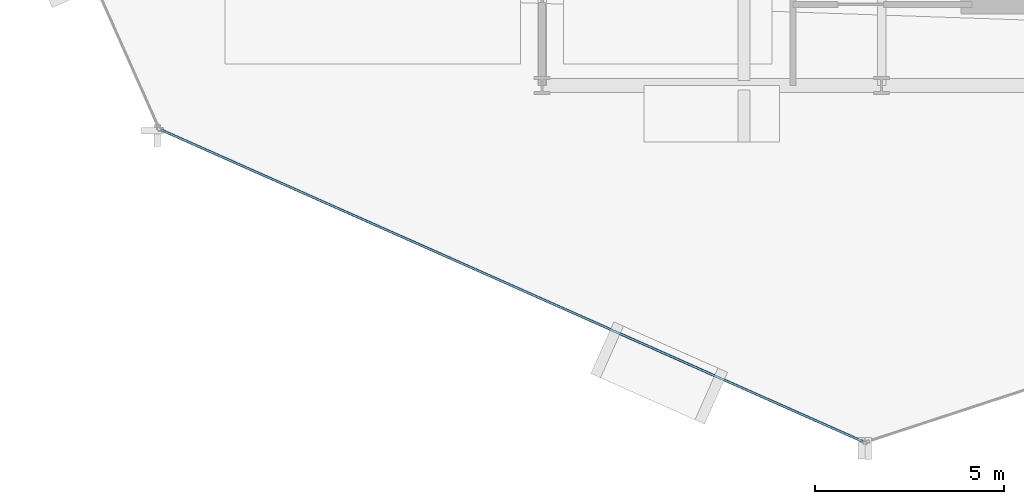
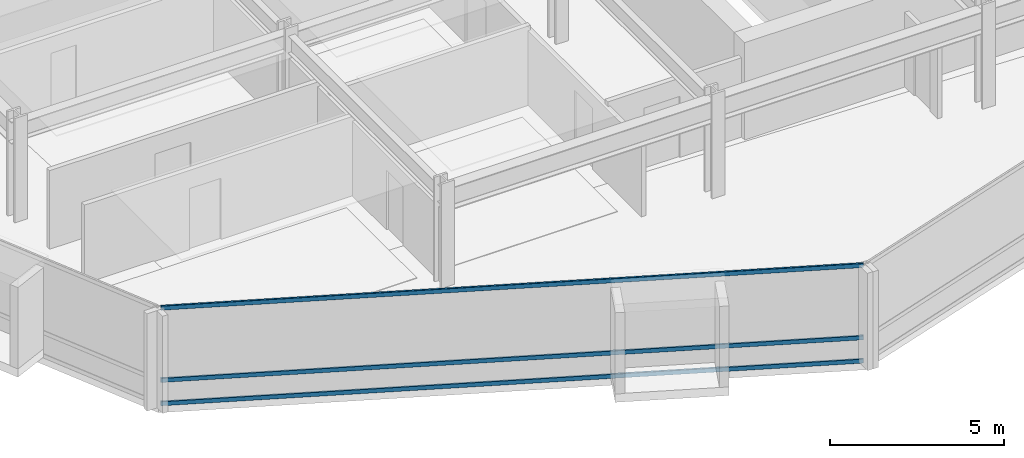
# One storey, part 3 of 34: 3 members, 1 element without a shape of its own.
"""IFC4 building model written with IfcOpenShell, lengths in metres."""

from ifc_helpers import new_model, si_unit, direction, frame, origin, origin_2d, place, context, subcontext, project, spatial, hollow_rectangle, extrude, material, layer, layer_set, material_profile, profile_set, type_object, element, aggregate, save


model = new_model("IFC4")

# Units and contexts
model_context = context("Model", 3, precision=1e-05, world=origin(), true_north=direction((0.0, 1.0)))
body_context = subcontext(model_context, "Body", "Model", "MODEL_VIEW")
ifc_project = project(units=[si_unit("LENGTHUNIT", "METRE"), si_unit("AREAUNIT", "SQUARE_METRE"), si_unit("VOLUMEUNIT", "CUBIC_METRE"), si_unit("PLANEANGLEUNIT", "RADIAN"), si_unit("MASSUNIT", "GRAM", prefix="KILO")], contexts=[model_context])

# Site, building, storey
site_placement = place(None, origin())
site = spatial("IfcSite", under=ifc_project, at=site_placement, CompositionType="ELEMENT")
building_placement = place(site_placement, origin())
building = spatial("IfcBuilding", under=site, at=building_placement, Name="Solvaryn Broadcast Tower", CompositionType="ELEMENT")
storey_placement = place(building_placement, frame((0.0, 0.0, 92.800048828125)))
storey = spatial("IfcBuildingStorey", under=building, at=storey_placement, Name="L22", CompositionType="ELEMENT", Elevation=92.800048828125)

# Curtain wall, members
ifc_material_1 = material(Name="Aluminium and Terracotta Unitised Curtain Wall", Category="masonry")
ifc_layer = layer(ifc_material_1, 0.199951171875)
ifc_layer_set = layer_set([ifc_layer], Name="CW-SYS2-LOWMID")
curtain_wall_type = type_object("IfcCurtainWallType", Name="CW-SYS2-LOWMID", PredefinedType="NOTDEFINED", material=ifc_layer_set)
curtain_wall_placement = place(storey_placement, origin())
curtain_wall = element("IfcCurtainWall", 1, at=curtain_wall_placement, inside=storey, type_object=curtain_wall_type, Name="L22 Curtain Wall DR3", PredefinedType="NOTDEFINED")
ifc_material_2 = material(Name="Anodised Aluminium 6063-T6", Category="aluminium")
ifc_material_profile = material_profile(ifc_material_2, hollow_rectangle(XDim=0.06494140625, YDim=0.14990234375, WallThickness=0.00390625, InnerFilletRadius=0.00390625, OuterFilletRadius=0.008056640625, at=origin_2d()))
ifc_profile_set = profile_set([ifc_material_profile], Name="Anodised Aluminium 6063-T6")
member_type = type_object("IfcMemberType", Name="CW-TRN-150", PredefinedType="USERDEFINED", material=ifc_profile_set)
member_1_placement = place(storey_placement, frame((7.90185546875, 7.82275390625, 0.030029296875), z_axis=(0.913914888191, -0.405905872269, 0.0), x_axis=(0.405905872269, 0.913914888191, 0.0)))
member_1 = element("IfcMember", 2, at=member_1_placement, type_object=member_type, Name="CWS2 transom 1.1", ObjectType="TRANSOM", PredefinedType="USERDEFINED", context=body_context, shape_type="SweptSolid", body=[
    extrude(hollow_rectangle(XDim=0.06494140625, YDim=0.14990234375, WallThickness=0.00390625, InnerFilletRadius=0.00390625, OuterFilletRadius=0.008056640625, at=origin_2d()), origin(), (0.0, 0.0, 1.0), 20.35546875),
])
member_2_placement = place(storey_placement, frame((7.90185546875, 7.82275390625, 0.849853515625), z_axis=(0.913914888191, -0.405905872269, 0.0), x_axis=(0.405905872269, 0.913914888191, 0.0)))
member_2 = element("IfcMember", 3, at=member_2_placement, type_object=member_type, Name="CWS2 transom 1.2", ObjectType="TRANSOM", PredefinedType="USERDEFINED", context=body_context, shape_type="SweptSolid", body=[
    extrude(hollow_rectangle(XDim=0.06494140625, YDim=0.14990234375, WallThickness=0.00390625, InnerFilletRadius=0.00390625, OuterFilletRadius=0.008056640625, at=origin_2d()), origin(), (0.0, 0.0, 1.0), 20.35546875),
])
member_3_placement = place(storey_placement, frame((7.90185546875, 7.82275390625, 3.389892578125), z_axis=(0.913914888191, -0.405905872269, 0.0), x_axis=(0.405905872269, 0.913914888191, 0.0)))
member_3 = element("IfcMember", 4, at=member_3_placement, type_object=member_type, Name="CWS2 transom 1.3", ObjectType="TRANSOM", PredefinedType="USERDEFINED", context=body_context, shape_type="SweptSolid", body=[
    extrude(hollow_rectangle(XDim=0.06494140625, YDim=0.14990234375, WallThickness=0.00390625, InnerFilletRadius=0.00390625, OuterFilletRadius=0.008056640625, at=origin_2d()), origin(), (0.0, 0.0, 1.0), 20.35546875),
])
aggregate(curtain_wall, [member_1, member_2, member_3])

save(model, "model.ifc")
